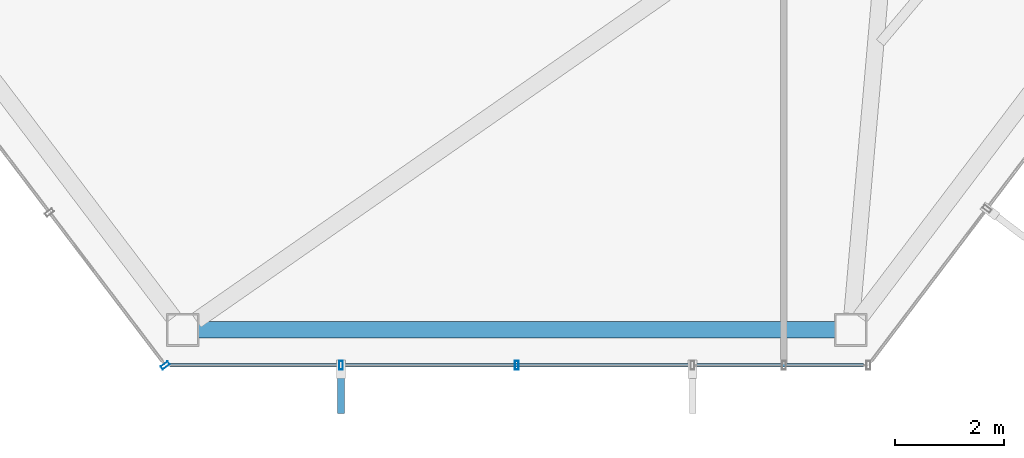
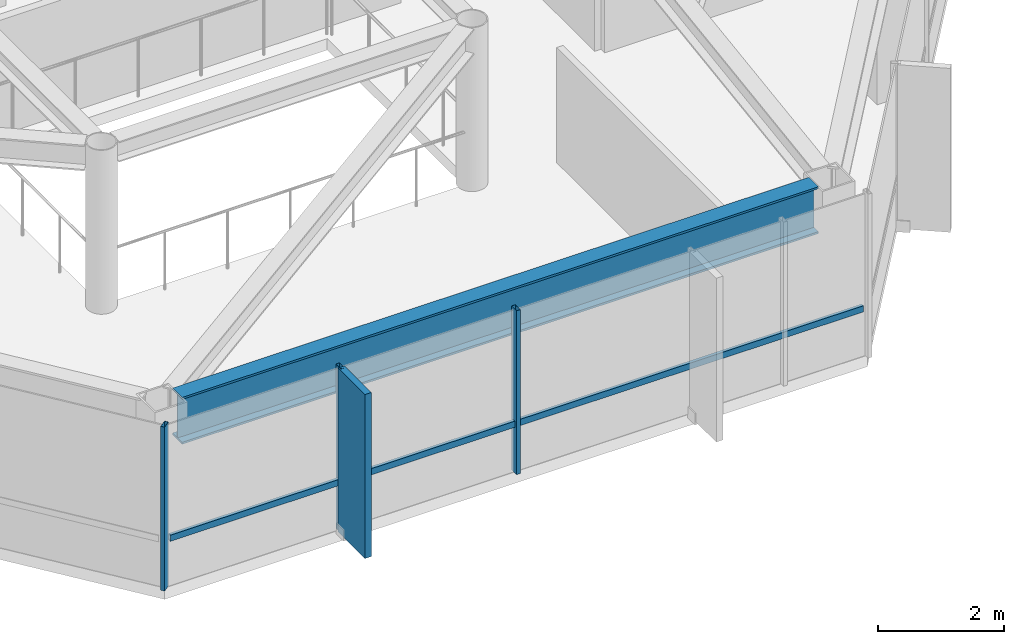
# One storey, part 5 of 25: 5 members, 1 beam, 2 elements without a shape of their own.
"""IFC4 building model written with IfcOpenShell, lengths in metres."""

from ifc_helpers import new_model, si_unit, direction, frame, origin, origin_2d, place, context, subcontext, project, spatial, rectangle, hollow_rectangle, i_section, extrude, material, layer, layer_set, material_profile, profile_set, type_object, element, aggregate, save


model = new_model("IFC4")

# Units and contexts
model_context = context("Model", 3, precision=1e-05, world=origin(), true_north=direction((0.0, 1.0)))
body_context = subcontext(model_context, "Body", "Model", "MODEL_VIEW")
ifc_project = project(units=[si_unit("LENGTHUNIT", "METRE"), si_unit("AREAUNIT", "SQUARE_METRE"), si_unit("VOLUMEUNIT", "CUBIC_METRE"), si_unit("PLANEANGLEUNIT", "RADIAN"), si_unit("MASSUNIT", "GRAM", prefix="KILO")], contexts=[model_context])

# Site, building, storey
site_placement = place(None, origin())
site = spatial("IfcSite", under=ifc_project, at=site_placement, CompositionType="ELEMENT")
building_placement = place(site_placement, origin())
building = spatial("IfcBuilding", under=site, at=building_placement, Name="Zarrinselat Tower", CompositionType="ELEMENT")
storey_placement = place(building_placement, frame((0.0, 0.0, 212.159912109375)))
storey = spatial("IfcBuildingStorey", under=building, at=storey_placement, Name="L52", CompositionType="ELEMENT", Elevation=212.159912109375)

# Beam
ifc_material_1 = material(Name="Steel S460M", Category="steel")
ifc_material_profile_1 = material_profile(ifc_material_1, i_section(OverallWidth=0.302001953125, OverallDepth=0.909912109375, WebThickness=0.02099609375, FlangeThickness=0.0400390625, at=origin_2d()), Name="HEM 900")
ifc_profile_set_1 = profile_set([ifc_material_profile_1], Name="Steel S460M")
beam_type = type_object("IfcBeamType", Name="BM-HEM900", PredefinedType="BEAM", material=ifc_profile_set_1)
beam_placement = place(storey_placement, frame((32.56201171875, 18.560546875, 2.72509765625), z_axis=(1.0, 0.0, 0.0), x_axis=(0.0, 1.0, 0.0)))
element("IfcBeam", 1, at=beam_placement, inside=storey, type_object=beam_type, Name="L52 Perimeter Spandrel Girder SP10", PredefinedType="BEAM", context=body_context, shape_type="SweptSolid", body=[
    extrude(i_section(OverallWidth=0.302001953125, OverallDepth=0.909912109375, WebThickness=0.02099609375, FlangeThickness=0.0400390625, at=origin_2d()), origin(), (0.0, 0.0, 1.0), 11.676025390625),
])

# Curtain wall, member
ifc_material_2 = material(Name="Extruded Aluminium Alloy EN AW-6063 T6", Category="aluminium")
ifc_layer = layer(ifc_material_2, 0.169921875)
ifc_layer_set = layer_set([ifc_layer], Name="Extruded Aluminium Alloy EN AW-6063 T6")
curtain_wall_type = type_object("IfcCurtainWallType", Name="CWS-RES", PredefinedType="NOTDEFINED", material=ifc_layer_set)
curtain_wall_1_placement = place(storey_placement, origin())
curtain_wall_1 = element("IfcCurtainWall", 2, at=curtain_wall_1_placement, inside=storey, type_object=curtain_wall_type, Name="L52 Unitised Curtain Wall CW-L52-E03", PredefinedType="NOTDEFINED")
ifc_material_3 = material(Name="Extruded Aluminium Alloy EN AW-6063 T6", Category="aluminium")
ifc_material_profile_2 = material_profile(ifc_material_3, hollow_rectangle(XDim=0.070068359375, YDim=0.159912109375, WallThickness=0.00390625, at=origin_2d()), Name="RHS 160x70x4")
ifc_profile_set_2 = profile_set([ifc_material_profile_2], Name="Extruded Aluminium Alloy EN AW-6063 T6")
member_type_1 = type_object("IfcMemberType", Name="MEM-CW-MUL2", PredefinedType="MULLION", material=ifc_profile_set_2)
member_1_placement = place(storey_placement, frame((31.950927734375, 17.910400390625, 0.0), z_axis=(0.0, 0.0, 1.0), x_axis=(0.603858850791, -0.797091267247, 0.0)))
member_1 = element("IfcMember", 3, at=member_1_placement, type_object=member_type_1, Name="CW-L52-E03 Mullion 9", PredefinedType="MULLION", context=body_context, shape_type="SweptSolid", body=[
    extrude(hollow_rectangle(XDim=0.070068359375, YDim=0.159912109375, WallThickness=0.00390625, at=origin_2d()), origin(), (0.0, 0.0, 1.0), 3.18017578125),
])
aggregate(curtain_wall_1, [member_1])

# Curtain wall, members
curtain_wall_2_placement = place(storey_placement, origin())
curtain_wall_2 = element("IfcCurtainWall", 4, at=curtain_wall_2_placement, inside=storey, type_object=curtain_wall_type, Name="L52 Unitised Curtain Wall CW-L52-E04", PredefinedType="NOTDEFINED")
member_2_placement = place(storey_placement, frame((35.175537109375, 17.910400390625, 0.0), z_axis=(0.0, 0.0, 1.0), x_axis=(1.0, 0.0, 0.0)))
member_2 = element("IfcMember", 5, at=member_2_placement, type_object=member_type_1, Name="CW-L52-E04 Mullion 1", PredefinedType="MULLION", context=body_context, shape_type="SweptSolid", body=[
    extrude(hollow_rectangle(XDim=0.070068359375, YDim=0.159912109375, WallThickness=0.00390625, at=origin_2d()), origin(), (0.0, 0.0, 1.0), 3.18017578125),
])
member_3_placement = place(storey_placement, frame((38.39990234375, 17.910400390625, 0.0), z_axis=(0.0, 0.0, 1.0), x_axis=(1.0, 0.0, 0.0)))
member_3 = element("IfcMember", 6, at=member_3_placement, type_object=member_type_1, Name="CW-L52-E04 Mullion 2", PredefinedType="MULLION", context=body_context, shape_type="SweptSolid", body=[
    extrude(hollow_rectangle(XDim=0.070068359375, YDim=0.159912109375, WallThickness=0.00390625, at=origin_2d()), origin(), (0.0, 0.0, 1.0), 3.18017578125),
])
ifc_material_4 = material(Name="Extruded Aluminium Alloy EN AW-6063 T6", Category="aluminium")
ifc_material_profile_3 = material_profile(ifc_material_4, hollow_rectangle(XDim=0.06005859375, YDim=0.1201171875, WallThickness=0.00390625, at=origin_2d()), Name="RHS 120x60x4")
ifc_profile_set_3 = profile_set([ifc_material_profile_3], Name="Extruded Aluminium Alloy EN AW-6063 T6")
member_type_2 = type_object("IfcMemberType", Name="MEM-CW-TRN2", PredefinedType="USERDEFINED", material=ifc_profile_set_3)
member_4_placement = place(storey_placement, frame((32.041015625, 17.910400390625, 0.9501953125), z_axis=(1.0, 0.0, 0.0), x_axis=(0.0, 1.0, 0.0)))
member_4 = element("IfcMember", 7, at=member_4_placement, type_object=member_type_2, Name="CW-L52-E04 Transom 1", ObjectType="TRANSOM", PredefinedType="USERDEFINED", context=body_context, shape_type="SweptSolid", body=[
    extrude(hollow_rectangle(XDim=0.06005859375, YDim=0.1201171875, WallThickness=0.00390625, at=origin_2d()), origin(), (0.0, 0.0, 1.0), 12.718017578125),
])
ifc_material_5 = material(Name="Honed Cream Travertine Stone", Category="masonry")
ifc_material_profile_4 = material_profile(ifc_material_5, rectangle(XDim=0.1201171875, YDim=0.85009765625, at=origin_2d()), Name="FIN 850x120")
ifc_profile_set_4 = profile_set([ifc_material_profile_4], Name="Honed Cream Travertine Stone")
member_type_3 = type_object("IfcMemberType", Name="MEM-STONE-FIN", PredefinedType="USERDEFINED", material=ifc_profile_set_4)
member_5_placement = place(storey_placement, frame((35.175537109375, 17.450439453125, 0.0), z_axis=(0.0, 0.0, 1.0), x_axis=(-1.0, 0.0, 0.0)))
member_5 = element("IfcMember", 8, at=member_5_placement, type_object=member_type_3, Name="L52 Stone Shading Fin CW-L52-E04-01", ObjectType="FIN", PredefinedType="USERDEFINED", context=body_context, shape_type="SweptSolid", body=[
    extrude(rectangle(XDim=0.1201171875, YDim=0.85009765625, at=origin_2d()), origin(), (0.0, 0.0, 1.0), 3.18017578125),
])
aggregate(curtain_wall_2, [member_2, member_5, member_3, member_4])

save(model, "model.ifc")
